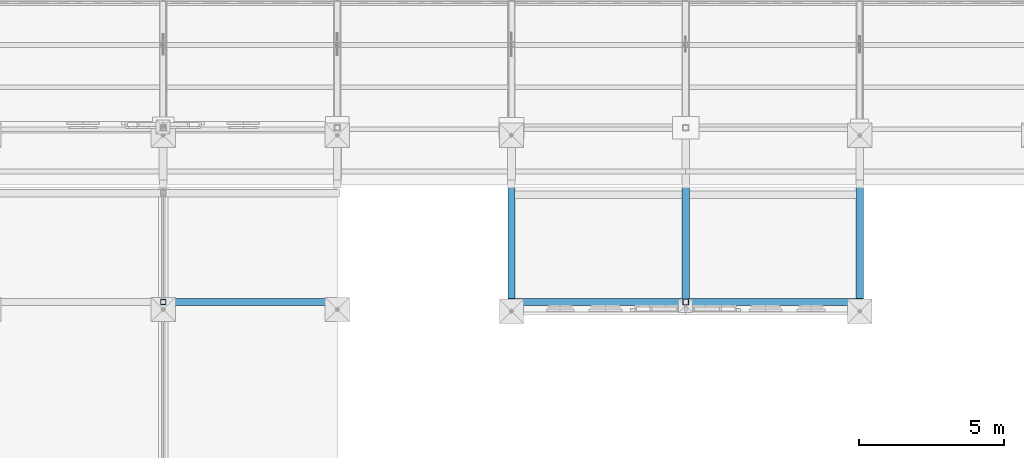
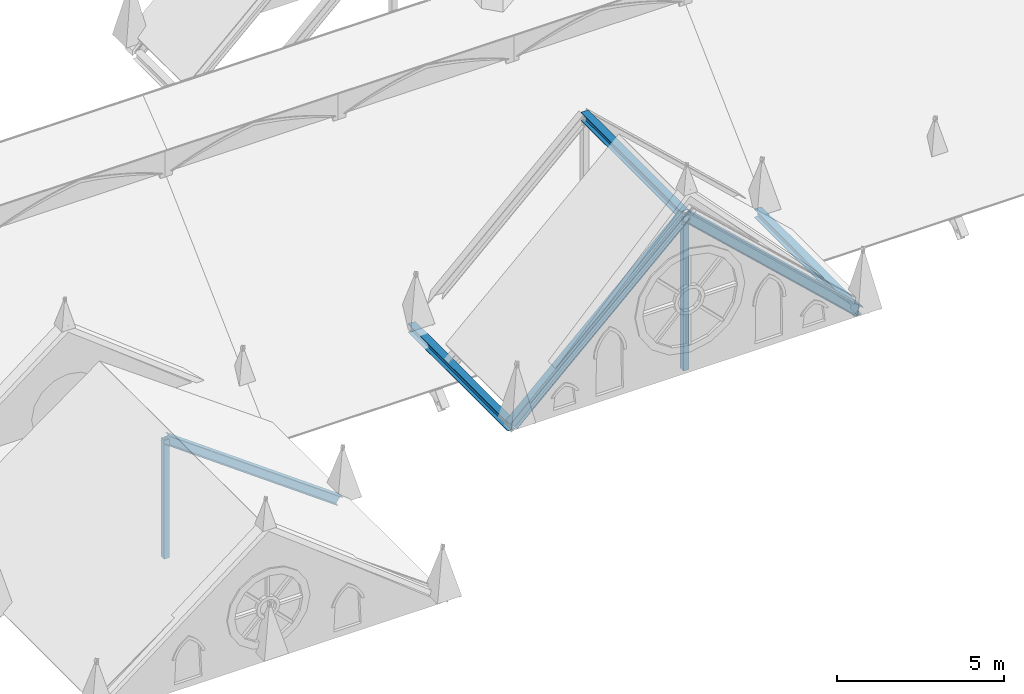
# One storey, part 7 of 33: 8 members.
"""IFC4 building model written with IfcOpenShell, lengths in metres."""

import ifcopenshell
import ifcopenshell.guid

model = None  # the IFC model being written
_history = None  # IfcOwnerHistory: only IFC2X3 demands one
_inside = {}  # id of a spatial element -> (the spatial element, [elements in it])
_under = {}  # id of a project, library or spatial element -> (it, [spatial elements below it])
_declared = {}  # id of a project -> (the project, [libraries it declares])
_typed = {}  # id of a type object -> (the type object, [elements of that type])
_made_of = {}  # id of a material, layer set ... -> (it, [elements and type objects made of it])


def new_model(schema):
    """Start an empty IFC model of exactly this schema.

    Asked for "IFC4X3", IfcOpenShell would pick the latest addendum, in which some entities
    have other attributes; the version numbers below select the first issue.
    IFC2X3 requires an IfcOwnerHistory on every rooted entity: one is made here for all.
    """
    global model, _history
    if schema == "IFC4X3":
        model = ifcopenshell.file(schema_version=(4, 3, 0, 0))
    else:
        model = ifcopenshell.file(schema=schema)
    _inside.clear()
    _under.clear()
    _declared.clear()
    _typed.clear()
    _made_of.clear()
    _history = None
    if model.schema == "IFC2X3":
        org = make("IfcOrganization", Name="unknown")
        user = make(
            "IfcPersonAndOrganization",
            ThePerson=make("IfcPerson", FamilyName="unknown"),
            TheOrganization=org,
        )
        app = make(
            "IfcApplication",
            ApplicationDeveloper=org,
            Version="unknown",
            ApplicationFullName="unknown",
            ApplicationIdentifier="unknown",
        )
        _history = make(
            "IfcOwnerHistory",
            OwningUser=user,
            OwningApplication=app,
            ChangeAction="ADDED",
            CreationDate=0,
        )
    return model


def make(cls, **values):
    """One entity of the class cls with the attributes given. An attribute that is None is left unset."""
    return model.create_entity(
        cls, **{name: value for name, value in values.items() if value is not None}
    )


def rooted(cls, **values):
    """An entity with a GlobalId (a new one), such as an element, a storey or a relation."""
    return make(cls, GlobalId=ifcopenshell.guid.new(), OwnerHistory=_history, **values)


def si_unit(unit_type, name, prefix=None):
    """IfcSIUnit, for example si_unit("LENGTHUNIT", "METRE", prefix="MILLI")."""
    return make("IfcSIUnit", UnitType=unit_type, Prefix=prefix, Name=name)


def assignment(units):
    """IfcUnitAssignment: the units of a project."""
    return None if units is None else make("IfcUnitAssignment", Units=units)


def point(xyz):
    """IfcCartesianPoint."""
    return None if xyz is None else make("IfcCartesianPoint", Coordinates=xyz)


def direction(xyz):
    """IfcDirection."""
    return None if xyz is None else make("IfcDirection", DirectionRatios=xyz)


def frame(location, z_axis=None, x_axis=None):
    """IfcAxis2Placement3D, a coordinate frame: its origin and axes. An axis left out is left unset."""
    return make(
        "IfcAxis2Placement3D",
        Location=point(location),
        Axis=direction(z_axis),
        RefDirection=direction(x_axis),
    )


def frame_2d(location, x_axis=None):
    """IfcAxis2Placement2D, a coordinate frame in the plane: its origin and x axis."""
    return make(
        "IfcAxis2Placement2D", Location=point(location), RefDirection=direction(x_axis)
    )


def origin():
    """The frame at (0, 0, 0) with its axes left unset."""
    return frame((0.0, 0.0, 0.0))


def origin_2d():
    """The frame at (0, 0) in the plane with its x axis left unset."""
    return frame_2d((0.0, 0.0))


def place(relative_to, where):
    """IfcLocalPlacement: puts the frame where relative to a parent placement (None: the world)."""
    return make(
        "IfcLocalPlacement", PlacementRelTo=relative_to, RelativePlacement=where
    )


def context(
    kind, dimensions, precision=None, world=None, true_north=None, identifier=None
):
    """IfcGeometricRepresentationContext, for example the 3D "Model" context."""
    return make(
        "IfcGeometricRepresentationContext",
        ContextIdentifier=identifier,
        ContextType=kind,
        CoordinateSpaceDimension=dimensions,
        Precision=precision,
        WorldCoordinateSystem=world,
        TrueNorth=true_north,
    )


def subcontext(parent, identifier, kind, view, scale=None):
    """IfcGeometricRepresentationSubContext, for example "Body" below "Model"."""
    return make(
        "IfcGeometricRepresentationSubContext",
        ContextIdentifier=identifier,
        ContextType=kind,
        ParentContext=parent,
        TargetScale=scale,
        TargetView=view,
    )


def project(units=None, contexts=None):
    """IfcProject with its units and contexts."""
    return rooted(
        "IfcProject",
        Name="project",
        RepresentationContexts=contexts,
        UnitsInContext=assignment(units),
    )


def spatial(cls, under=None, at=None, **own):
    """A site, building, storey or space (cls), placed at a placement, below another one or the project."""
    s = rooted(cls, ObjectPlacement=at, **own)
    if under is not None:
        _under.setdefault(under.id(), (under, []))[1].append(s)
    return s


def profile(cls, at=None, kind="AREA", **sizes):
    """A parametric profile (cls). Its sizes go by their IFC names, for example OverallWidth=200.0."""
    return make(cls, ProfileType=kind, Position=at, **sizes)


def hollow_rectangle(**sizes):
    """IfcRectangleHollowProfileDef."""
    return profile("IfcRectangleHollowProfileDef", **sizes)


def i_section(**sizes):
    """IfcIShapeProfileDef."""
    return profile("IfcIShapeProfileDef", **sizes)


def extrude(swept, where, along, depth):
    """IfcExtrudedAreaSolid: the profile swept, set in the frame where, extruded along a direction by depth."""
    return make(
        "IfcExtrudedAreaSolid",
        SweptArea=swept,
        Position=where,
        ExtrudedDirection=direction(along),
        Depth=depth,
    )


def shape(context_of_items, identifier, shape_type, items):
    """IfcShapeRepresentation: the items that make up one representation, for example the "Body"."""
    return make(
        "IfcShapeRepresentation",
        ContextOfItems=context_of_items,
        RepresentationIdentifier=identifier,
        RepresentationType=shape_type,
        Items=items,
    )


def material(Name=None, Category=None):
    """IfcMaterial."""
    return make("IfcMaterial", Name=Name, Category=Category)


def material_profile(
    of_material, cross_section, Name=None, Category=None, Priority=None
):
    """IfcMaterialProfile: a cross section and its material."""
    return make(
        "IfcMaterialProfile",
        Name=Name,
        Material=of_material,
        Profile=cross_section,
        Priority=Priority,
        Category=Category,
    )


def profile_set(profiles, Name=None, composite=None):
    """IfcMaterialProfileSet."""
    return make(
        "IfcMaterialProfileSet",
        Name=Name,
        MaterialProfiles=profiles,
        CompositeProfile=composite,
    )


def made_of(thing, what):
    """Note that an element or type object is made of a material, layer set ...; save() writes the relation."""
    if what is not None:
        _made_of.setdefault(what.id(), (what, []))[1].append(thing)
    return thing


def type_object(cls, material=None, **own):
    """A type object (cls), such as IfcWallType, which elements share."""
    return made_of(rooted(cls, **own), material)


def element(
    cls,
    number,
    at=None,
    inside=None,
    cuts=None,
    type_object=None,
    material=None,
    context=None,
    identifier="Body",
    shape_type=None,
    held_by="IfcProductDefinitionShape",
    body=None,
    shapes=None,
    **own,
):
    """One element of the class cls, such as IfcWall. Its Tag is "e" and its number.

    at: its placement. inside: the storey or other place that contains it. cuts: it is an
    opening in that element (IfcRelVoidsElement). A single representation is given by context,
    identifier, shape_type and body (its items); several are given by shapes. held_by: the class
    of the entity that holds the representations. save() writes the other relations.
    """
    e = rooted(cls, Tag="e%d" % number, ObjectPlacement=at, **own)
    if body is not None:
        shapes = [shape(context, identifier, shape_type, body)]
    if shapes is not None:
        e.Representation = make(held_by, Representations=shapes)
    if inside is not None:
        _inside.setdefault(inside.id(), (inside, []))[1].append(e)
    if cuts is not None:
        rooted(
            "IfcRelVoidsElement", RelatingBuildingElement=cuts, RelatedOpeningElement=e
        )
    if type_object is not None:
        _typed.setdefault(type_object.id(), (type_object, []))[1].append(e)
    return made_of(e, material)


def aggregate(whole, parts):
    """IfcRelAggregates: a whole, such as a stair, and the parts it consists of."""
    return rooted("IfcRelAggregates", RelatingObject=whole, RelatedObjects=parts)


def save(model, path):
    """Write the relations noted so far, then the file.

    IfcRelAggregates (storeys below a building ...), IfcRelContainedInSpatialStructure (elements
    in a storey), IfcRelDefinesByType, IfcRelAssociatesMaterial and IfcRelDeclares: one each for
    every whole, place, type object, material and project.
    """
    for whole, parts in _under.values():
        aggregate(whole, parts)
    for where, things in _inside.values():
        rooted(
            "IfcRelContainedInSpatialStructure",
            RelatedElements=things,
            RelatingStructure=where,
        )
    for kind, things in _typed.values():
        rooted("IfcRelDefinesByType", RelatedObjects=things, RelatingType=kind)
    for what, things in _made_of.values():
        rooted("IfcRelAssociatesMaterial", RelatedObjects=things, RelatingMaterial=what)
    for by, libraries in _declared.values():
        rooted("IfcRelDeclares", RelatingContext=by, RelatedDefinitions=libraries)
    model.write(path)


model = new_model("IFC4")

# Units and contexts
model_context = context("Model", 3, precision=1e-05, world=origin(), true_north=direction((0.0, 1.0)))
body_context = subcontext(model_context, "Body", "Model", "MODEL_VIEW")
ifc_project = project(units=[si_unit("LENGTHUNIT", "METRE"), si_unit("AREAUNIT", "SQUARE_METRE"), si_unit("VOLUMEUNIT", "CUBIC_METRE"), si_unit("PLANEANGLEUNIT", "RADIAN"), si_unit("MASSUNIT", "GRAM", prefix="KILO")], contexts=[model_context])

# Site, building, storey
site_placement = place(None, origin())
site = spatial("IfcSite", under=ifc_project, at=site_placement, CompositionType="ELEMENT")
building_placement = place(site_placement, origin())
building = spatial("IfcBuilding", under=site, at=building_placement, Name="Cumevento Cable Car Station", CompositionType="ELEMENT")
storey_placement = place(building_placement, frame((0.0, 0.0, 22.5)))
storey = spatial("IfcBuildingStorey", under=building, at=storey_placement, Name="RF", CompositionType="ELEMENT", Elevation=22.5)

# Members
ifc_material_1 = material(Name="Steel ASTM A572 Grade 50", Category="steel")
ifc_material_profile_1 = material_profile(ifc_material_1, hollow_rectangle(XDim=0.179931640625, YDim=0.179931640625, WallThickness=0.010009765625, at=origin_2d()), Name="HSS180x180x10.0")
ifc_profile_set_1 = profile_set([ifc_material_profile_1], Name="Steel ASTM A572 Grade 50")
member_type_1 = type_object("IfcMemberType", Name="Framing Brace BR-01 HSS180x180x10.0", PredefinedType="BRACE", material=ifc_profile_set_1)
member_1_placement = place(storey_placement, frame((76.0, 39.0, 0.0), z_axis=(0.0, 0.0, 1.0), x_axis=(1.0, 0.0, 0.0)))
element("IfcMember", 1, at=member_1_placement, inside=storey, type_object=member_type_1, Name="Wing B_V2d King Post #716", PredefinedType="BRACE", context=body_context, shape_type="SweptSolid", body=[
    extrude(hollow_rectangle(XDim=0.179931640625, YDim=0.179931640625, WallThickness=0.010009765625, at=origin_2d()), origin(), (0.0, 0.0, 1.0), 4.35009765625),
])
ifc_material_2 = material(Name="Steel ASTM A572 Grade 50", Category="steel")
ifc_material_profile_2 = material_profile(ifc_material_2, i_section(OverallWidth=0.257080078125, OverallDepth=0.363037109375, WebThickness=0.012939453125, FlangeThickness=0.021728515625, at=origin_2d()), Name="W360x122.0")
ifc_profile_set_2 = profile_set([ifc_material_profile_2], Name="Steel ASTM A572 Grade 50")
member_type_2 = type_object("IfcMemberType", Name="Framing Chord TC-01 W360x122.0", PredefinedType="CHORD", material=ifc_profile_set_2)
for number, where, z_axis, x_axis, name in (
    (2, (88.0, 39.0, 0.64990234375), (0.731346142864, 0.0, 0.682006465745), (0.0, 1.0, 0.0), "South Downhill Foothill Ropeway Cabin Portal Canopy West Rafter #480"),
    (3, (100.0, 39.0, 0.64990234375), (-0.731346142864, 0.0, 0.682006465745), (0.0, -1.0, 0.0), "South Downhill Foothill Ropeway Cabin Portal Canopy East Rafter #481"),
):
    element("IfcMember", number, at=place(storey_placement, frame(where, z_axis=z_axis, x_axis=x_axis)), inside=storey, type_object=member_type_2, Name=name, PredefinedType="CHORD", context=body_context, shape_type="SweptSolid", body=[
        extrude(i_section(OverallWidth=0.257080078125, OverallDepth=0.363037109375, WebThickness=0.012939453125, FlangeThickness=0.021728515625, at=origin_2d()), origin(), (0.0, 0.0, 1.0), 8.2041015625),
    ])
ifc_material_3 = material(Name="Steel ASTM A572 Grade 50", Category="steel")
ifc_material_profile_3 = material_profile(ifc_material_3, i_section(OverallWidth=0.25390625, OverallDepth=0.305908203125, WebThickness=0.0087890625, FlangeThickness=0.0146484375, at=origin_2d()), Name="W310x79.0")
ifc_profile_set_3 = profile_set([ifc_material_profile_3], Name="Steel ASTM A572 Grade 50")
member_type_3 = type_object("IfcMemberType", Name="Framing Chord TC-03 W310x79.0", PredefinedType="CHORD", material=ifc_profile_set_3)
for number, where, z_axis, x_axis, name in (
    (4, (88.0, 45.0, 0.60009765625), (0.0, -1.0, 0.0), (1.0, 0.0, 0.0), "South Downhill Foothill Ropeway Cabin Portal Canopy Eave Beam #472"),
    (5, (100.0, 45.0, 0.60009765625), (0.0, -1.0, 0.0), (1.0, 0.0, 0.0), "South Downhill Foothill Ropeway Cabin Portal Canopy Eave Beam #473"),
    (6, (94.0, 45.0, 6.2451171875), (0.0, -1.0, 0.0), (1.0, 0.0, 0.0), "South Downhill Foothill Ropeway Cabin Portal Canopy Ridge Beam #482"),
):
    element("IfcMember", number, at=place(storey_placement, frame(where, z_axis=z_axis, x_axis=x_axis)), inside=storey, type_object=member_type_3, Name=name, PredefinedType="CHORD", context=body_context, shape_type="SweptSolid", body=[
        extrude(i_section(OverallWidth=0.25390625, OverallDepth=0.305908203125, WebThickness=0.0087890625, FlangeThickness=0.0146484375, at=origin_2d()), origin(), (0.0, 0.0, 1.0), 6.0),
    ])
member_2_placement = place(storey_placement, frame((82.0, 39.0, 0.0), z_axis=(-0.809604181367, 0.0, 0.586976208643), x_axis=(0.0, -1.0, 0.0)))
element("IfcMember", 7, at=member_2_placement, inside=storey, type_object=member_type_3, Name="Wing B_V2d Rafter #718", PredefinedType="CHORD", context=body_context, shape_type="SweptSolid", body=[
    extrude(i_section(OverallWidth=0.25390625, OverallDepth=0.305908203125, WebThickness=0.0087890625, FlangeThickness=0.0146484375, at=origin_2d()), origin(), (0.0, 0.0, 1.0), 7.4111328125),
])
ifc_material_4 = material(Name="Steel ASTM A572 Grade 50", Category="steel")
ifc_material_profile_4 = material_profile(ifc_material_4, hollow_rectangle(XDim=0.199951171875, YDim=0.199951171875, WallThickness=0.012451171875, at=origin_2d()), Name="HSS200x200x12.5")
ifc_profile_set_4 = profile_set([ifc_material_profile_4], Name="Steel ASTM A572 Grade 50")
member_type_4 = type_object("IfcMemberType", Name="Framing Post TD-03 HSS200x200x12.5", PredefinedType="POST", material=ifc_profile_set_4)
member_3_placement = place(storey_placement, frame((94.0, 39.0, 0.60009765625), z_axis=(0.0, 0.0, 1.0), x_axis=(1.0, 0.0, 0.0)))
element("IfcMember", 8, at=member_3_placement, inside=storey, type_object=member_type_4, Name="South Downhill Foothill Ropeway Cabin Portal Canopy Kingpost #479", PredefinedType="POST", context=body_context, shape_type="SweptSolid", body=[
    extrude(hollow_rectangle(XDim=0.199951171875, YDim=0.199951171875, WallThickness=0.012451171875, at=origin_2d()), origin(), (0.0, 0.0, 1.0), 5.64501953125),
])

save(model, "model.ifc")
